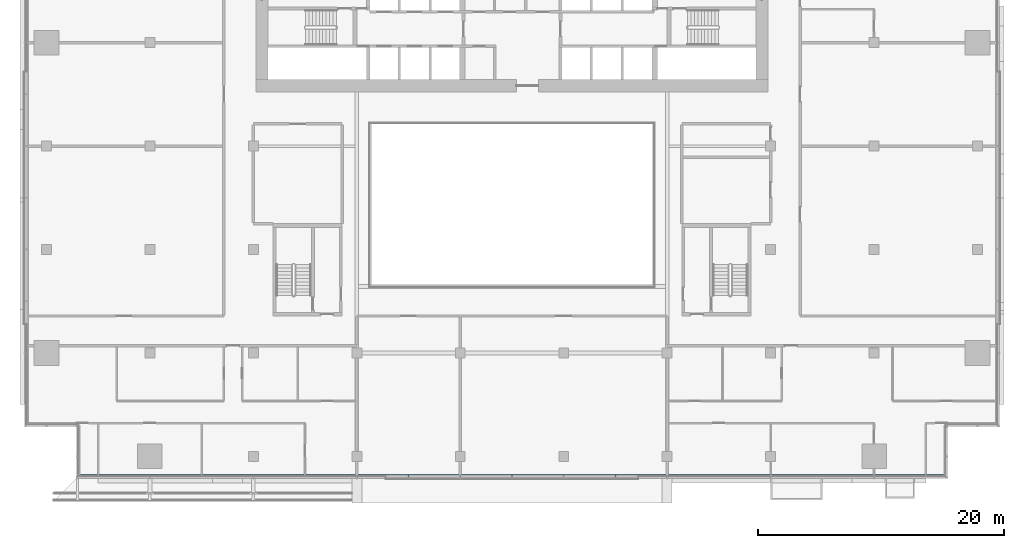
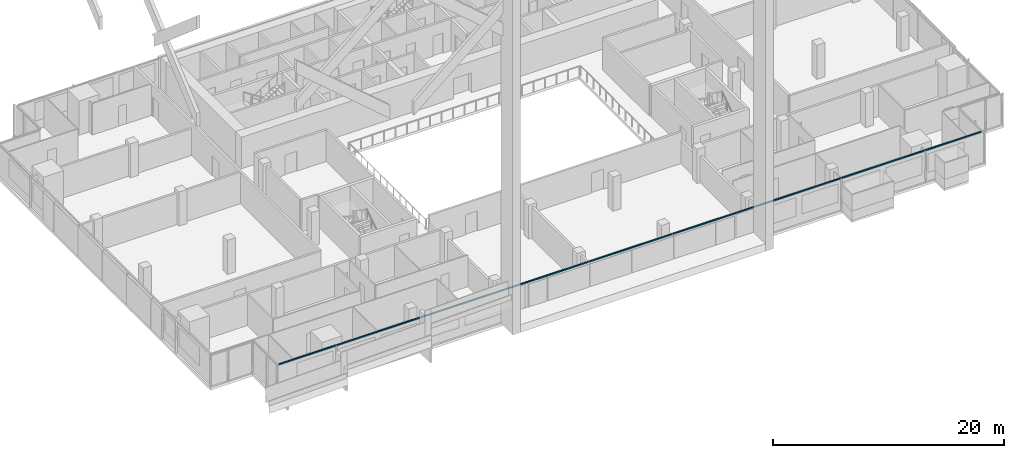
# One storey, part 8 of 30: 1 member, 1 element without a shape of its own.
"""IFC4 building model written with IfcOpenShell, lengths in metres."""

from ifc_helpers import new_model, si_unit, direction, frame, origin, origin_2d, place, context, subcontext, project, spatial, rectangle, extrude, material, material_profile, profile_set, type_object, element, aggregate, save


model = new_model("IFC4")

# Units and contexts
model_context = context("Model", 3, precision=1e-05, world=origin(), true_north=direction((0.0, 1.0)))
body_context = subcontext(model_context, "Body", "Model", "MODEL_VIEW")
ifc_project = project(units=[si_unit("LENGTHUNIT", "METRE"), si_unit("AREAUNIT", "SQUARE_METRE"), si_unit("VOLUMEUNIT", "CUBIC_METRE"), si_unit("PLANEANGLEUNIT", "RADIAN"), si_unit("MASSUNIT", "GRAM", prefix="KILO")], contexts=[model_context])

# Site, building, storey
site_placement = place(None, origin())
site = spatial("IfcSite", under=ifc_project, at=site_placement, CompositionType="ELEMENT")
building_placement = place(site_placement, origin())
building = spatial("IfcBuilding", under=site, at=building_placement, Name="Saffron Gate Tower", CompositionType="ELEMENT")
storey_placement = place(building_placement, frame((0.0, 0.0, 95.25)))
storey = spatial("IfcBuildingStorey", under=building, at=storey_placement, Name="L21", CompositionType="ELEMENT", Elevation=95.25)

# Curtain wall, member
ifc_material = material(Name="Aluminium, bronze anodised", Category="aluminium")
curtain_wall_type = type_object("IfcCurtainWallType", Name="CWS1 curtain wall front facade", PredefinedType="NOTDEFINED", material=ifc_material)
curtain_wall_placement = place(storey_placement, origin())
curtain_wall = element("IfcCurtainWall", 1, at=curtain_wall_placement, inside=storey, type_object=curtain_wall_type, Name="CWS1 run 1", PredefinedType="NOTDEFINED")
ifc_material_profile = material_profile(ifc_material, rectangle(XDim=0.1201171875, YDim=0.1201171875, at=origin_2d()))
ifc_profile_set = profile_set([ifc_material_profile], Name="Aluminium, bronze anodised")
member_type = type_object("IfcMemberType", Name="CWS1 head transom", PredefinedType="USERDEFINED", material=ifc_profile_set)
member_placement = place(storey_placement, frame((52.568115234375, 30.248046875, 3.260009765625), z_axis=(1.0, 0.0, 0.0), x_axis=(0.0, 1.0, 0.0)))
member = element("IfcMember", 2, at=member_placement, type_object=member_type, Name="CWS1 head transom", ObjectType="TRANSOM", PredefinedType="USERDEFINED", context=body_context, shape_type="SweptSolid", body=[
    extrude(rectangle(XDim=0.1201171875, YDim=0.1201171875, at=origin_2d()), origin(), (0.0, 0.0, 1.0), 70.06396484375),
])
aggregate(curtain_wall, [member])

save(model, "model.ifc")
